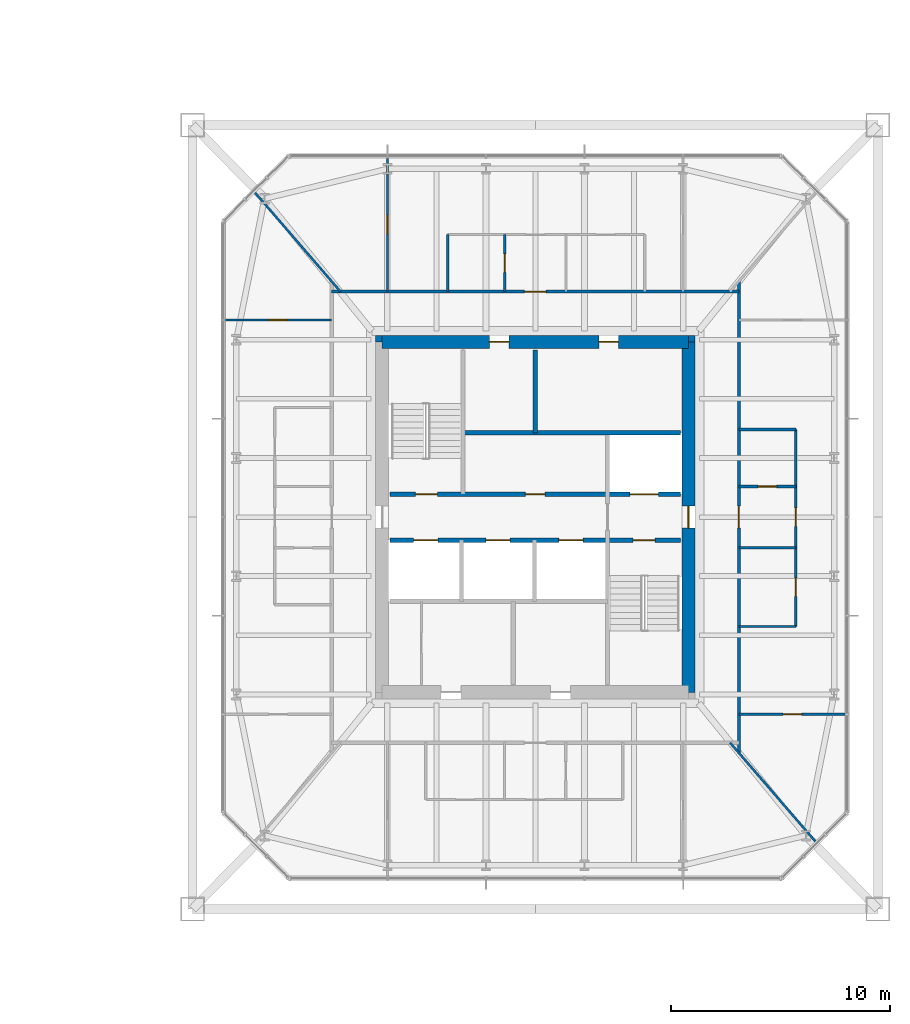
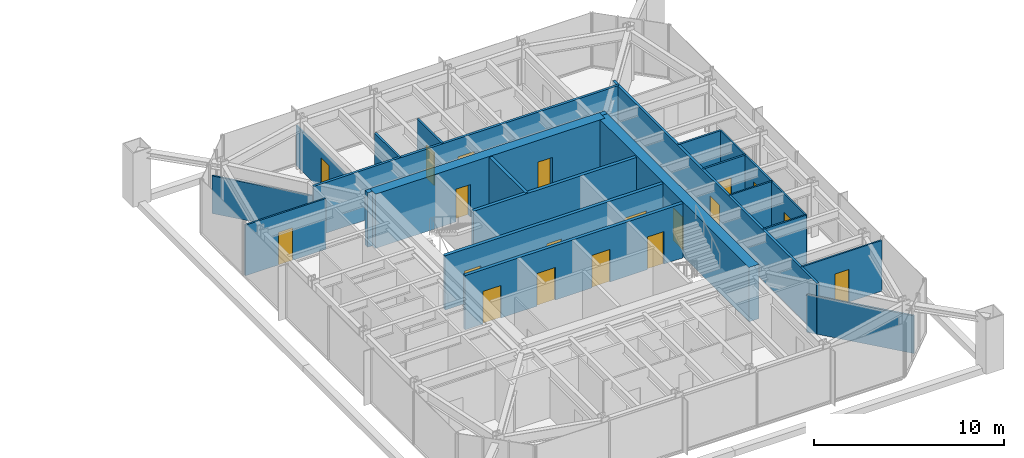
# One storey, part 19 of 26: 22 walls, 19 doors, 19 openings.
"""IFC4 building model written with IfcOpenShell, lengths in metres."""

import ifcopenshell
import ifcopenshell.guid

model = None  # the IFC model being written
_history = None  # IfcOwnerHistory: only IFC2X3 demands one
_inside = {}  # id of a spatial element -> (the spatial element, [elements in it])
_under = {}  # id of a project, library or spatial element -> (it, [spatial elements below it])
_declared = {}  # id of a project -> (the project, [libraries it declares])
_typed = {}  # id of a type object -> (the type object, [elements of that type])
_made_of = {}  # id of a material, layer set ... -> (it, [elements and type objects made of it])


def new_model(schema):
    """Start an empty IFC model of exactly this schema.

    Asked for "IFC4X3", IfcOpenShell would pick the latest addendum, in which some entities
    have other attributes; the version numbers below select the first issue.
    IFC2X3 requires an IfcOwnerHistory on every rooted entity: one is made here for all.
    """
    global model, _history
    if schema == "IFC4X3":
        model = ifcopenshell.file(schema_version=(4, 3, 0, 0))
    else:
        model = ifcopenshell.file(schema=schema)
    _inside.clear()
    _under.clear()
    _declared.clear()
    _typed.clear()
    _made_of.clear()
    _history = None
    if model.schema == "IFC2X3":
        org = make("IfcOrganization", Name="unknown")
        user = make(
            "IfcPersonAndOrganization",
            ThePerson=make("IfcPerson", FamilyName="unknown"),
            TheOrganization=org,
        )
        app = make(
            "IfcApplication",
            ApplicationDeveloper=org,
            Version="unknown",
            ApplicationFullName="unknown",
            ApplicationIdentifier="unknown",
        )
        _history = make(
            "IfcOwnerHistory",
            OwningUser=user,
            OwningApplication=app,
            ChangeAction="ADDED",
            CreationDate=0,
        )
    return model


def make(cls, **values):
    """One entity of the class cls with the attributes given. An attribute that is None is left unset."""
    return model.create_entity(
        cls, **{name: value for name, value in values.items() if value is not None}
    )


def rooted(cls, **values):
    """An entity with a GlobalId (a new one), such as an element, a storey or a relation."""
    return make(cls, GlobalId=ifcopenshell.guid.new(), OwnerHistory=_history, **values)


def si_unit(unit_type, name, prefix=None):
    """IfcSIUnit, for example si_unit("LENGTHUNIT", "METRE", prefix="MILLI")."""
    return make("IfcSIUnit", UnitType=unit_type, Prefix=prefix, Name=name)


def assignment(units):
    """IfcUnitAssignment: the units of a project."""
    return None if units is None else make("IfcUnitAssignment", Units=units)


def point(xyz):
    """IfcCartesianPoint."""
    return None if xyz is None else make("IfcCartesianPoint", Coordinates=xyz)


def direction(xyz):
    """IfcDirection."""
    return None if xyz is None else make("IfcDirection", DirectionRatios=xyz)


def frame(location, z_axis=None, x_axis=None):
    """IfcAxis2Placement3D, a coordinate frame: its origin and axes. An axis left out is left unset."""
    return make(
        "IfcAxis2Placement3D",
        Location=point(location),
        Axis=direction(z_axis),
        RefDirection=direction(x_axis),
    )


def frame_2d(location, x_axis=None):
    """IfcAxis2Placement2D, a coordinate frame in the plane: its origin and x axis."""
    return make(
        "IfcAxis2Placement2D", Location=point(location), RefDirection=direction(x_axis)
    )


def origin():
    """The frame at (0, 0, 0) with its axes left unset."""
    return frame((0.0, 0.0, 0.0))


def place(relative_to, where):
    """IfcLocalPlacement: puts the frame where relative to a parent placement (None: the world)."""
    return make(
        "IfcLocalPlacement", PlacementRelTo=relative_to, RelativePlacement=where
    )


def context(
    kind, dimensions, precision=None, world=None, true_north=None, identifier=None
):
    """IfcGeometricRepresentationContext, for example the 3D "Model" context."""
    return make(
        "IfcGeometricRepresentationContext",
        ContextIdentifier=identifier,
        ContextType=kind,
        CoordinateSpaceDimension=dimensions,
        Precision=precision,
        WorldCoordinateSystem=world,
        TrueNorth=true_north,
    )


def subcontext(parent, identifier, kind, view, scale=None):
    """IfcGeometricRepresentationSubContext, for example "Body" below "Model"."""
    return make(
        "IfcGeometricRepresentationSubContext",
        ContextIdentifier=identifier,
        ContextType=kind,
        ParentContext=parent,
        TargetScale=scale,
        TargetView=view,
    )


def project(units=None, contexts=None):
    """IfcProject with its units and contexts."""
    return rooted(
        "IfcProject",
        Name="project",
        RepresentationContexts=contexts,
        UnitsInContext=assignment(units),
    )


def spatial(cls, under=None, at=None, **own):
    """A site, building, storey or space (cls), placed at a placement, below another one or the project."""
    s = rooted(cls, ObjectPlacement=at, **own)
    if under is not None:
        _under.setdefault(under.id(), (under, []))[1].append(s)
    return s


def profile(cls, at=None, kind="AREA", **sizes):
    """A parametric profile (cls). Its sizes go by their IFC names, for example OverallWidth=200.0."""
    return make(cls, ProfileType=kind, Position=at, **sizes)


def rectangle(**sizes):
    """IfcRectangleProfileDef."""
    return profile("IfcRectangleProfileDef", **sizes)


def extrude(swept, where, along, depth):
    """IfcExtrudedAreaSolid: the profile swept, set in the frame where, extruded along a direction by depth."""
    return make(
        "IfcExtrudedAreaSolid",
        SweptArea=swept,
        Position=where,
        ExtrudedDirection=direction(along),
        Depth=depth,
    )


def shape(context_of_items, identifier, shape_type, items):
    """IfcShapeRepresentation: the items that make up one representation, for example the "Body"."""
    return make(
        "IfcShapeRepresentation",
        ContextOfItems=context_of_items,
        RepresentationIdentifier=identifier,
        RepresentationType=shape_type,
        Items=items,
    )


def material(Name=None, Category=None):
    """IfcMaterial."""
    return make("IfcMaterial", Name=Name, Category=Category)


def layer(
    of_material, thickness, ventilated=None, Name=None, Category=None, Priority=None
):
    """IfcMaterialLayer: one layer of a wall or slab, of a material (None: an air gap)."""
    return make(
        "IfcMaterialLayer",
        Material=of_material,
        LayerThickness=thickness,
        IsVentilated=ventilated,
        Name=Name,
        Category=Category,
        Priority=Priority,
    )


def layer_set(layers, Name=None):
    """IfcMaterialLayerSet."""
    return make("IfcMaterialLayerSet", MaterialLayers=layers, LayerSetName=Name)


def made_of(thing, what):
    """Note that an element or type object is made of a material, layer set ...; save() writes the relation."""
    if what is not None:
        _made_of.setdefault(what.id(), (what, []))[1].append(thing)
    return thing


def type_object(cls, material=None, **own):
    """A type object (cls), such as IfcWallType, which elements share."""
    return made_of(rooted(cls, **own), material)


def element(
    cls,
    number,
    at=None,
    inside=None,
    cuts=None,
    type_object=None,
    material=None,
    context=None,
    identifier="Body",
    shape_type=None,
    held_by="IfcProductDefinitionShape",
    body=None,
    shapes=None,
    **own,
):
    """One element of the class cls, such as IfcWall. Its Tag is "e" and its number.

    at: its placement. inside: the storey or other place that contains it. cuts: it is an
    opening in that element (IfcRelVoidsElement). A single representation is given by context,
    identifier, shape_type and body (its items); several are given by shapes. held_by: the class
    of the entity that holds the representations. save() writes the other relations.
    """
    e = rooted(cls, Tag="e%d" % number, ObjectPlacement=at, **own)
    if body is not None:
        shapes = [shape(context, identifier, shape_type, body)]
    if shapes is not None:
        e.Representation = make(held_by, Representations=shapes)
    if inside is not None:
        _inside.setdefault(inside.id(), (inside, []))[1].append(e)
    if cuts is not None:
        rooted(
            "IfcRelVoidsElement", RelatingBuildingElement=cuts, RelatedOpeningElement=e
        )
    if type_object is not None:
        _typed.setdefault(type_object.id(), (type_object, []))[1].append(e)
    return made_of(e, material)


def fill(opening, filler):
    """IfcRelFillsElement: the door or window that sits in an opening."""
    return rooted(
        "IfcRelFillsElement",
        RelatingOpeningElement=opening,
        RelatedBuildingElement=filler,
    )


def aggregate(whole, parts):
    """IfcRelAggregates: a whole, such as a stair, and the parts it consists of."""
    return rooted("IfcRelAggregates", RelatingObject=whole, RelatedObjects=parts)


def save(model, path):
    """Write the relations noted so far, then the file.

    IfcRelAggregates (storeys below a building ...), IfcRelContainedInSpatialStructure (elements
    in a storey), IfcRelDefinesByType, IfcRelAssociatesMaterial and IfcRelDeclares: one each for
    every whole, place, type object, material and project.
    """
    for whole, parts in _under.values():
        aggregate(whole, parts)
    for where, things in _inside.values():
        rooted(
            "IfcRelContainedInSpatialStructure",
            RelatedElements=things,
            RelatingStructure=where,
        )
    for kind, things in _typed.values():
        rooted("IfcRelDefinesByType", RelatedObjects=things, RelatingType=kind)
    for what, things in _made_of.values():
        rooted("IfcRelAssociatesMaterial", RelatedObjects=things, RelatingMaterial=what)
    for by, libraries in _declared.values():
        rooted("IfcRelDeclares", RelatingContext=by, RelatedDefinitions=libraries)
    model.write(path)


model = new_model("IFC4")

# Units and contexts
model_context = context("Model", 3, precision=1e-05, world=origin(), true_north=direction((0.0, 1.0)))
body_context = subcontext(model_context, "Body", "Model", "MODEL_VIEW")
ifc_project = project(units=[si_unit("LENGTHUNIT", "METRE"), si_unit("AREAUNIT", "SQUARE_METRE"), si_unit("VOLUMEUNIT", "CUBIC_METRE"), si_unit("PLANEANGLEUNIT", "RADIAN"), si_unit("MASSUNIT", "GRAM", prefix="KILO")], contexts=[model_context])

# Site, building, storey
site_placement = place(None, origin())
site = spatial("IfcSite", under=ifc_project, at=site_placement, CompositionType="ELEMENT")
building_placement = place(site_placement, origin())
building = spatial("IfcBuilding", under=site, at=building_placement, Name="Iwan Alto Co-Living Towers", CompositionType="ELEMENT")
storey_placement = place(building_placement, frame((0.0, 0.0, 115.5)))
storey = spatial("IfcBuildingStorey", under=building, at=storey_placement, Name="L31", CompositionType="ELEMENT", Elevation=115.5)

# Wall, opening, door
ifc_material_1 = material(Name="Gypsum board")
ifc_layer_1 = layer(ifc_material_1, 0.02490234375, Name="Board", Category="Finish")
ifc_material_2 = material(Name="Steel ASTM A1003 ST33H cold-formed studs", Category="steel")
ifc_layer_2 = layer(ifc_material_2, 0.10009765625, Name="Studs", Category="Framing")
ifc_layer_3 = layer(ifc_material_1, 0.02490234375, Name="Board", Category="Finish")
ifc_layer_set_1 = layer_set([ifc_layer_1, ifc_layer_2, ifc_layer_3], Name="CORRIDOR WALL 150")
wall_type_1 = type_object("IfcWallType", Name="CORRIDOR WALL 150", PredefinedType="PARTITIONING", material=ifc_layer_set_1)
wall_1_placement = place(storey_placement, frame((53.699951171875, 10.300048828125, 0.0), z_axis=(0.0, 0.0, 1.0), x_axis=(1.0, 0.0, 0.0)))
wall_1 = element("IfcWall", 1, at=wall_1_placement, inside=storey, type_object=wall_type_1, Name="Partition L31", PredefinedType="PARTITIONING", context=body_context, shape_type="SweptSolid", body=[
    extrude(rectangle(XDim=18.60009765625, YDim=0.14990234375, at=frame_2d((9.300048828125, 0.0))), origin(), (0.0, 0.0, 1.0), 3.27001953125),
])
opening_1_placement = place(wall_1_placement, frame((8.800048828125, 0.0, 0.0)))
opening_1 = element("IfcOpeningElement", 2, at=opening_1_placement, cuts=wall_1, Name="Opening D3", PredefinedType="OPENING", context=body_context, shape_type="SweptSolid", body=[
    extrude(rectangle(XDim=1.0, YDim=2.10009765625, at=frame_2d((0.5, 1.050048828125))), frame((0.0, 0.0849609375, 0.0), z_axis=(0.0, -1.0, 0.0), x_axis=(1.0, 0.0, 0.0)), (0.0, 0.0, 1.0), 0.169921875),
])
ifc_material_3 = material(Name="Steel frame with timber leaf", Category="steel")
door_type_1 = type_object("IfcDoorType", Name="FLAT ENTRANCE DOOR FD30S 1000X2100", OperationType="SINGLE_SWING_LEFT", PredefinedType="DOOR", material=ifc_material_3)
door_1_placement = place(opening_1_placement, origin())
door_1 = element("IfcDoor", 3, at=door_1_placement, inside=storey, type_object=door_type_1, Name="Apartment foyer door L31", OperationType="SINGLE_SWING_LEFT", OverallHeight=2.10009765625, OverallWidth=1.0, PredefinedType="DOOR", context=body_context, shape_type="SweptSolid", body=[
    extrude(rectangle(XDim=1.0, YDim=2.10009765625, at=frame_2d((0.5, 1.050048828125))), frame((0.0, 0.02490234375, 0.0), z_axis=(0.0, -1.0, 0.0), x_axis=(1.0, 0.0, 0.0)), (0.0, 0.0, 1.0), 0.050048828125),
])
fill(opening_1, door_1)

wall_2_placement = place(storey_placement, frame((72.300048828125, -10.76806640625, 0.0), z_axis=(0.0, 0.0, 1.0), x_axis=(0.0, 1.0, 0.0)))
wall_2 = element("IfcWall", 4, at=wall_2_placement, inside=storey, type_object=wall_type_1, Name="Partition L31", PredefinedType="PARTITIONING", context=body_context, shape_type="SweptSolid", body=[
    extrude(rectangle(XDim=21.5361328125, YDim=0.14990234375, at=frame_2d((10.76806640625, 0.0))), origin(), (0.0, 0.0, 1.0), 3.27001953125),
])
opening_2_placement = place(wall_2_placement, frame((10.26806640625, 0.0, 0.0)))
opening_2 = element("IfcOpeningElement", 5, at=opening_2_placement, cuts=wall_2, Name="Opening D3", PredefinedType="OPENING", context=body_context, shape_type="SweptSolid", body=[
    extrude(rectangle(XDim=1.0, YDim=2.10009765625, at=frame_2d((0.5, 1.050048828125))), frame((0.0, 0.0849609375, 0.0), z_axis=(0.0, -1.0, 0.0), x_axis=(1.0, 0.0, 0.0)), (0.0, 0.0, 1.0), 0.169921875),
])
door_2_placement = place(opening_2_placement, frame((1.0, 0.0, 0.0), z_axis=(0.0, 0.0, 1.0), x_axis=(-1.0, 0.0, 0.0)))
door_2 = element("IfcDoor", 6, at=door_2_placement, inside=storey, type_object=door_type_1, Name="Apartment foyer door L31", OperationType="SINGLE_SWING_RIGHT", OverallHeight=2.10009765625, OverallWidth=1.0, PredefinedType="DOOR", context=body_context, shape_type="SweptSolid", body=[
    extrude(rectangle(XDim=1.0, YDim=2.10009765625, at=frame_2d((0.5, 1.050048828125))), frame((0.0, 0.02490234375, 0.0), z_axis=(0.0, -1.0, 0.0), x_axis=(1.0, 0.0, 0.0)), (0.0, 0.0, 1.0), 0.050048828125),
])
fill(opening_2, door_2)

ifc_layer_4 = layer(ifc_material_1, 0.012451171875, Name="Board", Category="Finish")
ifc_layer_5 = layer(ifc_material_2, 0.074951171875, Name="Studs", Category="Framing")
ifc_layer_6 = layer(ifc_material_1, 0.012451171875, Name="Board", Category="Finish")
ifc_layer_set_2 = layer_set([ifc_layer_4, ifc_layer_5, ifc_layer_6], Name="PARTITION 100")
wall_type_2 = type_object("IfcWallType", Name="PARTITION 100", PredefinedType="PARTITIONING", material=ifc_layer_set_2)
wall_3_placement = place(storey_placement, frame((72.300048828125, -9.0, 0.0), z_axis=(0.0, 0.0, 1.0), x_axis=(1.0, 0.0, 0.0)))
wall_3 = element("IfcWall", 7, at=wall_3_placement, inside=storey, type_object=wall_type_2, Name="Partition L31", PredefinedType="PARTITIONING", context=body_context, shape_type="SweptSolid", body=[
    extrude(rectangle(XDim=4.889892578125, YDim=0.10009765625, at=frame_2d((2.44482421875, 0.0))), origin(), (0.0, 0.0, 1.0), 3.27001953125),
])
opening_3_placement = place(wall_3_placement, frame((2.02001953125, 0.0, 0.0)))
opening_3 = element("IfcOpeningElement", 8, at=opening_3_placement, cuts=wall_3, Name="Opening D2", PredefinedType="OPENING", context=body_context, shape_type="SweptSolid", body=[
    extrude(rectangle(XDim=0.85009765625, YDim=2.10009765625, at=frame_2d((0.425048828125, 1.050048828125))), frame((0.0, 0.06005859375, 0.0), z_axis=(0.0, -1.0, 0.0), x_axis=(1.0, 0.0, 0.0)), (0.0, 0.0, 1.0), 0.1201171875),
])
ifc_material_4 = material(Name="Timber leaf in steel frame", Category="steel")
door_type_2 = type_object("IfcDoorType", Name="ROOM DOOR 850X2100", OperationType="SINGLE_SWING_LEFT", PredefinedType="DOOR", material=ifc_material_4)
door_3_placement = place(opening_3_placement, origin())
door_3 = element("IfcDoor", 9, at=door_3_placement, inside=storey, type_object=door_type_2, Name="Bedroom door L31", OperationType="SINGLE_SWING_LEFT", OverallHeight=2.10009765625, OverallWidth=0.85009765625, PredefinedType="DOOR", context=body_context, shape_type="SweptSolid", body=[
    extrude(rectangle(XDim=0.85009765625, YDim=2.10009765625, at=frame_2d((0.425048828125, 1.050048828125))), frame((0.0, 0.02490234375, 0.0), z_axis=(0.0, -1.0, 0.0), x_axis=(1.0, 0.0, 0.0)), (0.0, 0.0, 1.0), 0.050048828125),
])
fill(opening_3, door_3)

# Walls
for number, where, z_axis, x_axis, name in (
    (10, (72.300048828125, -5.0, 0.0), (0.0, 0.0, 1.0), (1.0, 0.0, 0.0), "Partition L31"),
    (11, (72.300048828125, -1.39990234375, 0.0), (0.0, 0.0, 1.0), (1.0, 0.0, 0.0), "Partition L31"),
):
    element("IfcWall", number, at=place(storey_placement, frame(where, z_axis=z_axis, x_axis=x_axis)), inside=storey, type_object=wall_type_2, Name=name, PredefinedType="PARTITIONING", context=body_context, shape_type="SweptSolid", body=[
        extrude(rectangle(XDim=2.599853515625, YDim=0.10009765625, at=frame_2d((1.2998046875, 0.0))), origin(), (0.0, 0.0, 1.0), 3.27001953125),
    ])

# Wall, opening, door
wall_4_placement = place(storey_placement, frame((48.81005859375, 9.0, 0.0), z_axis=(0.0, 0.0, 1.0), x_axis=(1.0, 0.0, 0.0)))
wall_4 = element("IfcWall", 12, at=wall_4_placement, inside=storey, type_object=wall_type_2, Name="Partition L31", PredefinedType="PARTITIONING", context=body_context, shape_type="SweptSolid", body=[
    extrude(rectangle(XDim=4.889892578125, YDim=0.10009765625, at=frame_2d((2.44482421875, 0.0))), origin(), (0.0, 0.0, 1.0), 3.27001953125),
])
opening_4_placement = place(wall_4_placement, frame((2.02001953125, 0.0, 0.0)))
opening_4 = element("IfcOpeningElement", 13, at=opening_4_placement, cuts=wall_4, Name="Opening D2", PredefinedType="OPENING", context=body_context, shape_type="SweptSolid", body=[
    extrude(rectangle(XDim=0.85009765625, YDim=2.10009765625, at=frame_2d((0.425048828125, 1.050048828125))), frame((0.0, 0.06005859375, 0.0), z_axis=(0.0, -1.0, 0.0), x_axis=(1.0, 0.0, 0.0)), (0.0, 0.0, 1.0), 0.1201171875),
])
door_4_placement = place(opening_4_placement, frame((0.85009765625, 0.0, 0.0), z_axis=(0.0, 0.0, 1.0), x_axis=(-1.0, 0.0, 0.0)))
door_4 = element("IfcDoor", 14, at=door_4_placement, inside=storey, type_object=door_type_2, Name="Bedroom door L31", OperationType="SINGLE_SWING_LEFT", OverallHeight=2.10009765625, OverallWidth=0.85009765625, PredefinedType="DOOR", context=body_context, shape_type="SweptSolid", body=[
    extrude(rectangle(XDim=0.85009765625, YDim=2.10009765625, at=frame_2d((0.425048828125, 1.050048828125))), frame((0.0, 0.02490234375, 0.0), z_axis=(0.0, -1.0, 0.0), x_axis=(1.0, 0.0, 0.0)), (0.0, 0.0, 1.0), 0.050048828125),
])
fill(opening_4, door_4)

# Wall, openings, doors
wall_5_placement = place(storey_placement, frame((74.89990234375, -5.0, 0.0), z_axis=(0.0, 0.0, 1.0), x_axis=(0.0, 1.0, 0.0)))
wall_5 = element("IfcWall", 15, at=wall_5_placement, inside=storey, type_object=wall_type_2, Name="Partition L31", PredefinedType="PARTITIONING", context=body_context, shape_type="SweptSolid", body=[
    extrude(rectangle(XDim=9.0, YDim=0.10009765625, at=frame_2d((4.5, 0.0))), origin(), (0.0, 0.0, 1.0), 3.27001953125),
])
opening_5_placement = place(wall_5_placement, frame((1.375, 0.0, 0.0)))
opening_5 = element("IfcOpeningElement", 16, at=opening_5_placement, cuts=wall_5, Name="Opening D2", PredefinedType="OPENING", context=body_context, shape_type="SweptSolid", body=[
    extrude(rectangle(XDim=0.85009765625, YDim=2.10009765625, at=frame_2d((0.425048828125, 1.050048828125))), frame((0.0, 0.06005859375, 0.0), z_axis=(0.0, -1.0, 0.0), x_axis=(1.0, 0.0, 0.0)), (0.0, 0.0, 1.0), 0.1201171875),
])
opening_6_placement = place(wall_5_placement, frame((4.574951171875, 0.0, 0.0)))
opening_6 = element("IfcOpeningElement", 17, at=opening_6_placement, cuts=wall_5, Name="Opening D2", PredefinedType="OPENING", context=body_context, shape_type="SweptSolid", body=[
    extrude(rectangle(XDim=0.85009765625, YDim=2.10009765625, at=frame_2d((0.425048828125, 1.050048828125))), frame((0.0, 0.06005859375, 0.0), z_axis=(0.0, -1.0, 0.0), x_axis=(1.0, 0.0, 0.0)), (0.0, 0.0, 1.0), 0.1201171875),
])
door_5_placement = place(opening_5_placement, frame((0.85009765625, 0.0, 0.0), z_axis=(0.0, 0.0, 1.0), x_axis=(-1.0, 0.0, 0.0)))
door_5 = element("IfcDoor", 18, at=door_5_placement, inside=storey, type_object=door_type_2, Name="Kitchen door L31", OperationType="SINGLE_SWING_RIGHT", OverallHeight=2.10009765625, OverallWidth=0.85009765625, PredefinedType="DOOR", context=body_context, shape_type="SweptSolid", body=[
    extrude(rectangle(XDim=0.85009765625, YDim=2.10009765625, at=frame_2d((0.425048828125, 1.050048828125))), frame((0.0, 0.02490234375, 0.0), z_axis=(0.0, -1.0, 0.0), x_axis=(1.0, 0.0, 0.0)), (0.0, 0.0, 1.0), 0.050048828125),
])
fill(opening_5, door_5)
door_6_placement = place(opening_6_placement, frame((0.85009765625, 0.0, 0.0), z_axis=(0.0, 0.0, 1.0), x_axis=(-1.0, 0.0, 0.0)))
door_6 = element("IfcDoor", 19, at=door_6_placement, inside=storey, type_object=door_type_2, Name="Apartment foyer door L31", OperationType="SINGLE_SWING_RIGHT", OverallHeight=2.10009765625, OverallWidth=0.85009765625, PredefinedType="DOOR", context=body_context, shape_type="SweptSolid", body=[
    extrude(rectangle(XDim=0.85009765625, YDim=2.10009765625, at=frame_2d((0.425048828125, 1.050048828125))), frame((0.0, 0.02490234375, 0.0), z_axis=(0.0, -1.0, 0.0), x_axis=(1.0, 0.0, 0.0)), (0.0, 0.0, 1.0), 0.050048828125),
])
fill(opening_6, door_6)

# Wall, opening, door
wall_6_placement = place(storey_placement, frame((56.25, 10.300048828125, 0.0), z_axis=(0.0, 0.0, 1.0), x_axis=(0.0, 1.0, 0.0)))
wall_6 = element("IfcWall", 20, at=wall_6_placement, inside=storey, type_object=wall_type_2, Name="Partition L31", PredefinedType="PARTITIONING", context=body_context, shape_type="SweptSolid", body=[
    extrude(rectangle(XDim=6.139892578125, YDim=0.10009765625, at=frame_2d((3.06982421875, 0.0))), origin(), (0.0, 0.0, 1.0), 2.586669921875),
])
opening_7_placement = place(wall_6_placement, frame((2.64501953125, 0.0, 0.0)))
opening_7 = element("IfcOpeningElement", 21, at=opening_7_placement, cuts=wall_6, Name="Opening D2", PredefinedType="OPENING", context=body_context, shape_type="SweptSolid", body=[
    extrude(rectangle(XDim=0.85009765625, YDim=2.10009765625, at=frame_2d((0.425048828125, 1.050048828125))), frame((0.0, 0.06005859375, 0.0), z_axis=(0.0, -1.0, 0.0), x_axis=(1.0, 0.0, 0.0)), (0.0, 0.0, 1.0), 0.1201171875),
])
door_7_placement = place(opening_7_placement, frame((0.85009765625, 0.0, 0.0), z_axis=(0.0, 0.0, 1.0), x_axis=(-1.0, 0.0, 0.0)))
door_7 = element("IfcDoor", 22, at=door_7_placement, inside=storey, type_object=door_type_2, Name="Bedroom door L31", OperationType="SINGLE_SWING_RIGHT", OverallHeight=2.10009765625, OverallWidth=0.85009765625, PredefinedType="DOOR", context=body_context, shape_type="SweptSolid", body=[
    extrude(rectangle(XDim=0.85009765625, YDim=2.10009765625, at=frame_2d((0.425048828125, 1.050048828125))), frame((0.0, 0.02490234375, 0.0), z_axis=(0.0, -1.0, 0.0), x_axis=(1.0, 0.0, 0.0)), (0.0, 0.0, 1.0), 0.050048828125),
])
fill(opening_7, door_7)

# Walls
wall_7_placement = place(storey_placement, frame((54.10498046875, 10.300048828125, 0.0), z_axis=(0.0, 0.0, 1.0), x_axis=(-0.653606109319, 0.756834892074, 0.0)))
element("IfcWall", 23, at=wall_7_placement, inside=storey, type_object=wall_type_2, Name="Partition L31", PredefinedType="PARTITIONING", context=body_context, shape_type="SweptSolid", body=[
    extrude(rectangle(XDim=6.0048828125, YDim=0.10009765625, at=frame_2d((3.00244140625, 0.0))), origin(), (0.0, 0.0, 1.0), 2.42919921875),
])
wall_8_placement = place(storey_placement, frame((75.821044921875, -14.843994140625, 0.0), z_axis=(0.0, 0.0, 1.0), x_axis=(-0.65378286253, 0.756682211144, 0.0)))
element("IfcWall", 24, at=wall_8_placement, inside=storey, type_object=wall_type_2, Name="Partition L31", PredefinedType="PARTITIONING", context=body_context, shape_type="SweptSolid", body=[
    extrude(rectangle(XDim=6.005126953125, YDim=0.10009765625, at=frame_2d((3.00244140625, 0.0))), origin(), (0.0, 0.0, 1.0), 2.42919921875),
])

# Wall, openings, doors
ifc_material_5 = material(Name="Concrete f'c 70 MPa", Category="concrete")
ifc_layer_7 = layer(ifc_material_5, 0.199951171875)
ifc_layer_set_3 = layer_set([ifc_layer_7], Name="SHAFT WALL 200")
wall_type_3 = type_object("IfcWallType", Name="SHAFT WALL 200", PredefinedType="SOLIDWALL", material=ifc_layer_set_3)
wall_9_placement = place(storey_placement, frame((56.360107421875, -1.050048828125, 0.0), z_axis=(0.0, 0.0, 1.0), x_axis=(1.0, 0.0, 0.0)))
wall_9 = element("IfcWall", 25, at=wall_9_placement, inside=storey, type_object=wall_type_3, Name="Shaft wall L31", PredefinedType="SOLIDWALL", context=body_context, shape_type="SweptSolid", body=[
    extrude(rectangle(XDim=13.27978515625, YDim=0.199951171875, at=frame_2d((6.639892578125, 0.0))), origin(), (0.0, 0.0, 1.0), 3.5),
])
opening_8_placement = place(wall_9_placement, frame((11.110107421875, 0.0, 0.0)))
opening_8 = element("IfcOpeningElement", 26, at=opening_8_placement, cuts=wall_9, Name="Opening D5", PredefinedType="OPENING", context=body_context, shape_type="SweptSolid", body=[
    extrude(rectangle(XDim=1.0, YDim=2.10009765625, at=frame_2d((0.5, 1.050048828125))), frame((0.0, 0.10986328125, 0.0), z_axis=(0.0, -1.0, 0.0), x_axis=(1.0, 0.0, 0.0)), (0.0, 0.0, 1.0), 0.219970703125),
])
opening_9_placement = place(wall_9_placement, frame((1.0869140625, 0.0, 0.0)))
opening_9 = element("IfcOpeningElement", 27, at=opening_9_placement, cuts=wall_9, Name="Opening LD", PredefinedType="OPENING", context=body_context, shape_type="SweptSolid", body=[
    extrude(rectangle(XDim=1.10009765625, YDim=2.10009765625, at=frame_2d((0.550048828125, 1.050048828125))), frame((0.0, 0.10986328125, 0.0), z_axis=(0.0, -1.0, 0.0), x_axis=(1.0, 0.0, 0.0)), (0.0, 0.0, 1.0), 0.219970703125),
])
opening_10_placement = place(wall_9_placement, frame((4.389892578125, 0.0, 0.0)))
opening_10 = element("IfcOpeningElement", 28, at=opening_10_placement, cuts=wall_9, Name="Opening LD", PredefinedType="OPENING", context=body_context, shape_type="SweptSolid", body=[
    extrude(rectangle(XDim=1.10009765625, YDim=2.10009765625, at=frame_2d((0.550048828125, 1.050048828125))), frame((0.0, 0.10986328125, 0.0), z_axis=(0.0, -1.0, 0.0), x_axis=(1.0, 0.0, 0.0)), (0.0, 0.0, 1.0), 0.219970703125),
])
opening_11_placement = place(wall_9_placement, frame((7.72412109375, 0.0, 0.0)))
opening_11 = element("IfcOpeningElement", 29, at=opening_11_placement, cuts=wall_9, Name="Opening LD", PredefinedType="OPENING", context=body_context, shape_type="SweptSolid", body=[
    extrude(rectangle(XDim=1.10009765625, YDim=2.10009765625, at=frame_2d((0.550048828125, 1.050048828125))), frame((0.0, 0.10986328125, 0.0), z_axis=(0.0, -1.0, 0.0), x_axis=(1.0, 0.0, 0.0)), (0.0, 0.0, 1.0), 0.219970703125),
])
ifc_material_6 = material(Name="Steel frame with timber leaf", Category="steel")
door_type_3 = type_object("IfcDoorType", Name="LIFT LANDING DOOR 1100X2100", OperationType="DOUBLE_DOOR_SLIDING", PredefinedType="DOOR", material=ifc_material_6)
door_8_placement = place(opening_9_placement, origin())
door_8 = element("IfcDoor", 30, at=door_8_placement, inside=storey, type_object=door_type_3, Name="Lift P5-1 landing door L31", OperationType="DOUBLE_DOOR_SLIDING", OverallHeight=2.10009765625, OverallWidth=1.10009765625, PredefinedType="DOOR", context=body_context, shape_type="SweptSolid", body=[
    extrude(rectangle(XDim=1.10009765625, YDim=2.10009765625, at=frame_2d((0.550048828125, 1.050048828125))), frame((0.0, 0.02490234375, 0.0), z_axis=(0.0, -1.0, 0.0), x_axis=(1.0, 0.0, 0.0)), (0.0, 0.0, 1.0), 0.050048828125),
])
fill(opening_9, door_8)
door_9_placement = place(opening_10_placement, origin())
door_9 = element("IfcDoor", 31, at=door_9_placement, inside=storey, type_object=door_type_3, Name="Lift P5-2 landing door L31", OperationType="DOUBLE_DOOR_SLIDING", OverallHeight=2.10009765625, OverallWidth=1.10009765625, PredefinedType="DOOR", context=body_context, shape_type="SweptSolid", body=[
    extrude(rectangle(XDim=1.10009765625, YDim=2.10009765625, at=frame_2d((0.550048828125, 1.050048828125))), frame((0.0, 0.02490234375, 0.0), z_axis=(0.0, -1.0, 0.0), x_axis=(1.0, 0.0, 0.0)), (0.0, 0.0, 1.0), 0.050048828125),
])
fill(opening_10, door_9)
door_10_placement = place(opening_11_placement, origin())
door_10 = element("IfcDoor", 32, at=door_10_placement, inside=storey, type_object=door_type_3, Name="Lift P6-3 landing door L31", OperationType="DOUBLE_DOOR_SLIDING", OverallHeight=2.10009765625, OverallWidth=1.10009765625, PredefinedType="DOOR", context=body_context, shape_type="SweptSolid", body=[
    extrude(rectangle(XDim=1.10009765625, YDim=2.10009765625, at=frame_2d((0.550048828125, 1.050048828125))), frame((0.0, 0.02490234375, 0.0), z_axis=(0.0, -1.0, 0.0), x_axis=(1.0, 0.0, 0.0)), (0.0, 0.0, 1.0), 0.050048828125),
])
fill(opening_11, door_10)
ifc_material_7 = material(Name="Steel frame with timber leaf", Category="steel")
door_type_4 = type_object("IfcDoorType", Name="STAIR DOOR FD120S 1000X2100", OperationType="SINGLE_SWING_LEFT", PredefinedType="DOOR", material=ifc_material_7)
door_11_placement = place(opening_8_placement, frame((1.0, 0.0, 0.0), z_axis=(0.0, 0.0, 1.0), x_axis=(-1.0, 0.0, 0.0)))
door_11 = element("IfcDoor", 33, at=door_11_placement, inside=storey, type_object=door_type_4, Name="Stair S2 door L31", OperationType="SINGLE_SWING_RIGHT", OverallHeight=2.10009765625, OverallWidth=1.0, PredefinedType="DOOR", context=body_context, shape_type="SweptSolid", body=[
    extrude(rectangle(XDim=1.0, YDim=2.10009765625, at=frame_2d((0.5, 1.050048828125))), frame((0.0, 0.02490234375, 0.0), z_axis=(0.0, -1.0, 0.0), x_axis=(1.0, 0.0, 0.0)), (0.0, 0.0, 1.0), 0.050048828125),
])
fill(opening_8, door_11)

wall_10_placement = place(storey_placement, frame((56.360107421875, 1.050048828125, 0.0), z_axis=(0.0, 0.0, 1.0), x_axis=(1.0, 0.0, 0.0)))
wall_10 = element("IfcWall", 34, at=wall_10_placement, inside=storey, type_object=wall_type_3, Name="Shaft wall L31", PredefinedType="SOLIDWALL", context=body_context, shape_type="SweptSolid", body=[
    extrude(rectangle(XDim=13.27978515625, YDim=0.199951171875, at=frame_2d((6.639892578125, 0.0))), origin(), (0.0, 0.0, 1.0), 3.5),
])
opening_12_placement = place(wall_10_placement, frame((1.169921875, 0.0, 0.0)))
opening_12 = element("IfcOpeningElement", 35, at=opening_12_placement, cuts=wall_10, Name="Opening D5", PredefinedType="OPENING", context=body_context, shape_type="SweptSolid", body=[
    extrude(rectangle(XDim=1.0, YDim=2.10009765625, at=frame_2d((0.5, 1.050048828125))), frame((0.0, 0.10986328125, 0.0), z_axis=(0.0, -1.0, 0.0), x_axis=(1.0, 0.0, 0.0)), (0.0, 0.0, 1.0), 0.219970703125),
])
opening_13_placement = place(wall_10_placement, frame((6.18994140625, 0.0, 0.0)))
opening_13 = element("IfcOpeningElement", 36, at=opening_13_placement, cuts=wall_10, Name="Opening D8", PredefinedType="OPENING", context=body_context, shape_type="SweptSolid", body=[
    extrude(rectangle(XDim=0.89990234375, YDim=2.10009765625, at=frame_2d((0.449951171875, 1.050048828125))), frame((0.0, 0.10986328125, 0.0), z_axis=(0.0, -1.0, 0.0), x_axis=(1.0, 0.0, 0.0)), (0.0, 0.0, 1.0), 0.219970703125),
])
opening_14_placement = place(wall_10_placement, frame((10.9599609375, 0.0, 0.0)))
opening_14 = element("IfcOpeningElement", 37, at=opening_14_placement, cuts=wall_10, Name="Opening LD2", PredefinedType="OPENING", context=body_context, shape_type="SweptSolid", body=[
    extrude(rectangle(XDim=1.300048828125, YDim=2.10009765625, at=frame_2d((0.64990234375, 1.050048828125))), frame((0.0, 0.10986328125, 0.0), z_axis=(0.0, -1.0, 0.0), x_axis=(1.0, 0.0, 0.0)), (0.0, 0.0, 1.0), 0.219970703125),
])
ifc_material_8 = material(Name="Steel frame with timber leaf", Category="steel")
door_type_5 = type_object("IfcDoorType", Name="LIFT LANDING DOOR 1300X2100", OperationType="SLIDING_TO_LEFT", PredefinedType="DOOR", material=ifc_material_8)
door_12_placement = place(opening_14_placement, origin())
door_12 = element("IfcDoor", 38, at=door_12_placement, inside=storey, type_object=door_type_5, Name="Lift FL2 landing door L31", OperationType="SLIDING_TO_LEFT", OverallHeight=2.10009765625, OverallWidth=1.300048828125, PredefinedType="DOOR", context=body_context, shape_type="SweptSolid", body=[
    extrude(rectangle(XDim=1.300048828125, YDim=2.10009765625, at=frame_2d((0.64990234375, 1.050048828125))), frame((0.0, 0.02490234375, 0.0), z_axis=(0.0, -1.0, 0.0), x_axis=(1.0, 0.0, 0.0)), (0.0, 0.0, 1.0), 0.050048828125),
])
fill(opening_14, door_12)
ifc_material_9 = material(Name="Steel frame with timber leaf", Category="steel")
door_type_6 = type_object("IfcDoorType", Name="RISER DOOR FD120 900X2100", OperationType="SINGLE_SWING_LEFT", PredefinedType="DOOR", material=ifc_material_9)
door_13_placement = place(opening_13_placement, origin())
door_13 = element("IfcDoor", 39, at=door_13_placement, inside=storey, type_object=door_type_6, Name="Riser room door L31", OperationType="SINGLE_SWING_LEFT", OverallHeight=2.10009765625, OverallWidth=0.89990234375, PredefinedType="DOOR", context=body_context, shape_type="SweptSolid", body=[
    extrude(rectangle(XDim=0.89990234375, YDim=2.10009765625, at=frame_2d((0.449951171875, 1.050048828125))), frame((0.0, 0.02490234375, 0.0), z_axis=(0.0, -1.0, 0.0), x_axis=(1.0, 0.0, 0.0)), (0.0, 0.0, 1.0), 0.050048828125),
])
fill(opening_13, door_13)
door_14_placement = place(opening_12_placement, origin())
door_14 = element("IfcDoor", 40, at=door_14_placement, inside=storey, type_object=door_type_4, Name="Stair S1 door L31", OperationType="SINGLE_SWING_RIGHT", OverallHeight=2.10009765625, OverallWidth=1.0, PredefinedType="DOOR", context=body_context, shape_type="SweptSolid", body=[
    extrude(rectangle(XDim=1.0, YDim=2.10009765625, at=frame_2d((0.5, 1.050048828125))), frame((0.0, 0.02490234375, 0.0), z_axis=(0.0, -1.0, 0.0), x_axis=(1.0, 0.0, 0.0)), (0.0, 0.0, 1.0), 0.050048828125),
])
fill(opening_12, door_14)

# Walls
wall_11_placement = place(storey_placement, frame((59.699951171875, 3.85009765625, 0.0), z_axis=(0.0, 0.0, 1.0), x_axis=(1.0, 0.0, 0.0)))
element("IfcWall", 41, at=wall_11_placement, inside=storey, type_object=wall_type_3, Name="Shaft wall L31", PredefinedType="SOLIDWALL", context=body_context, shape_type="SweptSolid", body=[
    extrude(rectangle(XDim=9.93994140625, YDim=0.199951171875, at=frame_2d((4.969970703125, 0.0))), origin(), (0.0, 0.0, 1.0), 3.5),
])
wall_12_placement = place(storey_placement, frame((63.0, 3.85009765625, 0.0), z_axis=(0.0, 0.0, 1.0), x_axis=(0.0, 1.0, 0.0)))
element("IfcWall", 42, at=wall_12_placement, inside=storey, type_object=wall_type_3, Name="Shaft wall L31", PredefinedType="SOLIDWALL", context=body_context, shape_type="SweptSolid", body=[
    extrude(rectangle(XDim=3.789794921875, YDim=0.199951171875, at=frame_2d((1.89501953125, 0.0))), origin(), (0.0, 0.0, 1.0), 3.5),
])
ifc_material_10 = material(Name="Concrete f'c 70 MPa", Category="concrete")
ifc_layer_8 = layer(ifc_material_10, 0.300048828125)
ifc_layer_set_4 = layer_set([ifc_layer_8], Name="T2 CORE CORNER FILL 300")
wall_type_4 = type_object("IfcWallType", Name="T2 CORE CORNER FILL 300", PredefinedType="SOLIDWALL", material=ifc_layer_set_4)
for number, where, z_axis, x_axis, name in (
    (43, (70.0, 8.14990234375, 0.0), (0.0, 0.0, 1.0), (1.0, 0.0, 0.0), "T2 core corner NE L31"),
    (44, (55.699951171875, 8.14990234375, 0.0), (0.0, 0.0, 1.0), (1.0, 0.0, 0.0), "T2 core corner NW L31"),
):
    element("IfcWall", number, at=place(storey_placement, frame(where, z_axis=z_axis, x_axis=x_axis)), inside=storey, type_object=wall_type_4, Name=name, PredefinedType="SOLIDWALL", context=body_context, shape_type="SweptSolid", body=[
        extrude(rectangle(XDim=0.300048828125, YDim=0.300048828125, at=frame_2d((0.14990234375, 0.0))), origin(), (0.0, 0.0, 1.0), 3.5),
    ])

# Wall, openings, doors
ifc_material_11 = material(Name="Concrete f'c 70 MPa", Category="concrete")
ifc_layer_9 = layer(ifc_material_11, 0.60009765625)
ifc_layer_set_5 = layer_set([ifc_layer_9], Name="T2 CORE WALL 600")
wall_type_5 = type_object("IfcWallType", Name="T2 CORE WALL 600", PredefinedType="SHEAR", material=ifc_layer_set_5)
wall_13_placement = place(storey_placement, frame((70.0, 8.0, 0.0), z_axis=(0.0, 0.0, 1.0), x_axis=(-1.0, 0.0, 0.0)))
wall_13 = element("IfcWall", 45, at=wall_13_placement, inside=storey, type_object=wall_type_5, Name="T2 core wall N L31", PredefinedType="SHEAR", context=body_context, shape_type="SweptSolid", body=[
    extrude(rectangle(XDim=14.0, YDim=0.60009765625, at=frame_2d((7.0, 0.0))), origin(), (0.0, 0.0, 1.0), 3.5),
])
opening_15_placement = place(wall_13_placement, frame((8.199951171875, 0.0, 0.0)))
opening_15 = element("IfcOpeningElement", 46, at=opening_15_placement, cuts=wall_13, Name="Opening D8", PredefinedType="OPENING", context=body_context, shape_type="SweptSolid", body=[
    extrude(rectangle(XDim=0.89990234375, YDim=2.10009765625, at=frame_2d((0.449951171875, 1.050048828125))), frame((0.0, 0.31005859375, 0.0), z_axis=(0.0, -1.0, 0.0), x_axis=(1.0, 0.0, 0.0)), (0.0, 0.0, 1.0), 0.6201171875),
])
opening_16_placement = place(wall_13_placement, frame((3.199951171875, 0.0, 0.0)))
opening_16 = element("IfcOpeningElement", 47, at=opening_16_placement, cuts=wall_13, Name="Opening D8", PredefinedType="OPENING", context=body_context, shape_type="SweptSolid", body=[
    extrude(rectangle(XDim=0.89990234375, YDim=2.10009765625, at=frame_2d((0.449951171875, 1.050048828125))), frame((0.0, 0.31005859375, 0.0), z_axis=(0.0, -1.0, 0.0), x_axis=(1.0, 0.0, 0.0)), (0.0, 0.0, 1.0), 0.6201171875),
])
door_15_placement = place(opening_15_placement, origin())
door_15 = element("IfcDoor", 48, at=door_15_placement, inside=storey, type_object=door_type_6, Name="Electrical riser core door L31", OperationType="SINGLE_SWING_RIGHT", OverallHeight=2.10009765625, OverallWidth=0.89990234375, PredefinedType="DOOR", context=body_context, shape_type="SweptSolid", body=[
    extrude(rectangle(XDim=0.89990234375, YDim=2.10009765625, at=frame_2d((0.449951171875, 1.050048828125))), frame((0.0, 0.02490234375, 0.0), z_axis=(0.0, -1.0, 0.0), x_axis=(1.0, 0.0, 0.0)), (0.0, 0.0, 1.0), 0.050048828125),
])
fill(opening_15, door_15)
door_16_placement = place(opening_16_placement, origin())
door_16 = element("IfcDoor", 49, at=door_16_placement, inside=storey, type_object=door_type_6, Name="Water and drainage riser core door L31", OperationType="SINGLE_SWING_RIGHT", OverallHeight=2.10009765625, OverallWidth=0.89990234375, PredefinedType="DOOR", context=body_context, shape_type="SweptSolid", body=[
    extrude(rectangle(XDim=0.89990234375, YDim=2.10009765625, at=frame_2d((0.449951171875, 1.050048828125))), frame((0.0, 0.02490234375, 0.0), z_axis=(0.0, -1.0, 0.0), x_axis=(1.0, 0.0, 0.0)), (0.0, 0.0, 1.0), 0.050048828125),
])
fill(opening_16, door_16)

# Wall, opening, door
wall_14_placement = place(storey_placement, frame((70.0, -8.0, 0.0), z_axis=(0.0, 0.0, 1.0), x_axis=(0.0, 1.0, 0.0)))
wall_14 = element("IfcWall", 50, at=wall_14_placement, inside=storey, type_object=wall_type_5, Name="T2 core wall E L31", PredefinedType="SHEAR", context=body_context, shape_type="SweptSolid", body=[
    extrude(rectangle(XDim=16.0, YDim=0.60009765625, at=frame_2d((8.0, 0.0))), origin(), (0.0, 0.0, 1.0), 3.5),
])
opening_17_placement = place(wall_14_placement, frame((7.5, 0.0, 0.0)))
opening_17 = element("IfcOpeningElement", 51, at=opening_17_placement, cuts=wall_14, Name="Opening D7", PredefinedType="OPENING", context=body_context, shape_type="SweptSolid", body=[
    extrude(rectangle(XDim=1.0, YDim=2.10009765625, at=frame_2d((0.5, 1.050048828125))), frame((0.0, 0.31005859375, 0.0), z_axis=(0.0, -1.0, 0.0), x_axis=(1.0, 0.0, 0.0)), (0.0, 0.0, 1.0), 0.6201171875),
])
ifc_material_12 = material(Name="Steel frame with timber leaf", Category="steel")
door_type_7 = type_object("IfcDoorType", Name="CORE DOOR FD120S 1000X2100", OperationType="SINGLE_SWING_LEFT", PredefinedType="DOOR", material=ifc_material_12)
door_17_placement = place(opening_17_placement, origin())
door_17 = element("IfcDoor", 52, at=door_17_placement, inside=storey, type_object=door_type_7, Name="Firefighting lobby core door L31", OperationType="SINGLE_SWING_LEFT", OverallHeight=2.10009765625, OverallWidth=1.0, PredefinedType="DOOR", context=body_context, shape_type="SweptSolid", body=[
    extrude(rectangle(XDim=1.0, YDim=2.10009765625, at=frame_2d((0.5, 1.050048828125))), frame((0.0, 0.02490234375, 0.0), z_axis=(0.0, -1.0, 0.0), x_axis=(1.0, 0.0, 0.0)), (0.0, 0.0, 1.0), 0.050048828125),
])
fill(opening_17, door_17)

ifc_material_13 = material(Name="Cement board")
ifc_layer_10 = layer(ifc_material_13, 0.012451171875, Name="Board", Category="Finish")
ifc_layer_11 = layer(ifc_material_2, 0.094970703125, Name="Studs", Category="Framing")
ifc_layer_12 = layer(ifc_material_13, 0.012451171875, Name="Board", Category="Finish")
ifc_layer_set_6 = layer_set([ifc_layer_10, ifc_layer_11, ifc_layer_12], Name="WET AREA PARTITION 120")
wall_type_6 = type_object("IfcWallType", Name="WET AREA PARTITION 120", PredefinedType="PARTITIONING", material=ifc_layer_set_6)
wall_15_placement = place(storey_placement, frame((72.300048828125, 1.39990234375, 0.0), z_axis=(0.0, 0.0, 1.0), x_axis=(1.0, 0.0, 0.0)))
wall_15 = element("IfcWall", 53, at=wall_15_placement, inside=storey, type_object=wall_type_6, Name="Partition L31", PredefinedType="PARTITIONING", context=body_context, shape_type="SweptSolid", body=[
    extrude(rectangle(XDim=2.599853515625, YDim=0.1201171875, at=frame_2d((1.2998046875, 0.0))), origin(), (0.0, 0.0, 1.0), 3.27001953125),
])
opening_18_placement = place(wall_15_placement, frame((0.875, 0.0, 0.0)))
opening_18 = element("IfcOpeningElement", 54, at=opening_18_placement, cuts=wall_15, Name="Opening D2", PredefinedType="OPENING", context=body_context, shape_type="SweptSolid", body=[
    extrude(rectangle(XDim=0.85009765625, YDim=2.10009765625, at=frame_2d((0.425048828125, 1.050048828125))), frame((0.0, 0.070068359375, 0.0), z_axis=(0.0, -1.0, 0.0), x_axis=(1.0, 0.0, 0.0)), (0.0, 0.0, 1.0), 0.14013671875),
])
door_18_placement = place(opening_18_placement, origin())
door_18 = element("IfcDoor", 55, at=door_18_placement, inside=storey, type_object=door_type_2, Name="Bathroom door L31", OperationType="SINGLE_SWING_LEFT", OverallHeight=2.10009765625, OverallWidth=0.85009765625, PredefinedType="DOOR", context=body_context, shape_type="SweptSolid", body=[
    extrude(rectangle(XDim=0.85009765625, YDim=2.10009765625, at=frame_2d((0.425048828125, 1.050048828125))), frame((0.0, 0.02490234375, 0.0), z_axis=(0.0, -1.0, 0.0), x_axis=(1.0, 0.0, 0.0)), (0.0, 0.0, 1.0), 0.050048828125),
])
fill(opening_18, door_18)

# Wall
wall_16_placement = place(storey_placement, frame((72.300048828125, 4.0, 0.0), z_axis=(0.0, 0.0, 1.0), x_axis=(1.0, 0.0, 0.0)))
element("IfcWall", 56, at=wall_16_placement, inside=storey, type_object=wall_type_6, Name="Partition L31", PredefinedType="PARTITIONING", context=body_context, shape_type="SweptSolid", body=[
    extrude(rectangle(XDim=2.599853515625, YDim=0.1201171875, at=frame_2d((1.2998046875, 0.0))), origin(), (0.0, 0.0, 1.0), 3.27001953125),
])

# Wall, opening, door
wall_17_placement = place(storey_placement, frame((61.60009765625, 10.300048828125, 0.0), z_axis=(0.0, 0.0, 1.0), x_axis=(0.0, 1.0, 0.0)))
wall_17 = element("IfcWall", 57, at=wall_17_placement, inside=storey, type_object=wall_type_6, Name="Partition L31", PredefinedType="PARTITIONING", context=body_context, shape_type="SweptSolid", body=[
    extrude(rectangle(XDim=2.599853515625, YDim=0.1201171875, at=frame_2d((1.2998046875, 0.0))), origin(), (0.0, 0.0, 1.0), 3.27001953125),
])
opening_19_placement = place(wall_17_placement, frame((0.875, 0.0, 0.0)))
opening_19 = element("IfcOpeningElement", 58, at=opening_19_placement, cuts=wall_17, Name="Opening D2", PredefinedType="OPENING", context=body_context, shape_type="SweptSolid", body=[
    extrude(rectangle(XDim=0.85009765625, YDim=2.10009765625, at=frame_2d((0.425048828125, 1.050048828125))), frame((0.0, 0.070068359375, 0.0), z_axis=(0.0, -1.0, 0.0), x_axis=(1.0, 0.0, 0.0)), (0.0, 0.0, 1.0), 0.14013671875),
])
door_19_placement = place(opening_19_placement, origin())
door_19 = element("IfcDoor", 59, at=door_19_placement, inside=storey, type_object=door_type_2, Name="Bathroom door L31", OperationType="SINGLE_SWING_LEFT", OverallHeight=2.10009765625, OverallWidth=0.85009765625, PredefinedType="DOOR", context=body_context, shape_type="SweptSolid", body=[
    extrude(rectangle(XDim=0.85009765625, YDim=2.10009765625, at=frame_2d((0.425048828125, 1.050048828125))), frame((0.0, 0.02490234375, 0.0), z_axis=(0.0, -1.0, 0.0), x_axis=(1.0, 0.0, 0.0)), (0.0, 0.0, 1.0), 0.050048828125),
])
fill(opening_19, door_19)

# Wall
wall_18_placement = place(storey_placement, frame((59.0, 10.300048828125, 0.0), z_axis=(0.0, 0.0, 1.0), x_axis=(0.0, 1.0, 0.0)))
element("IfcWall", 60, at=wall_18_placement, inside=storey, type_object=wall_type_6, Name="Partition L31", PredefinedType="PARTITIONING", context=body_context, shape_type="SweptSolid", body=[
    extrude(rectangle(XDim=2.599853515625, YDim=0.1201171875, at=frame_2d((1.2998046875, 0.0))), origin(), (0.0, 0.0, 1.0), 3.27001953125),
])

save(model, "model.ifc")
